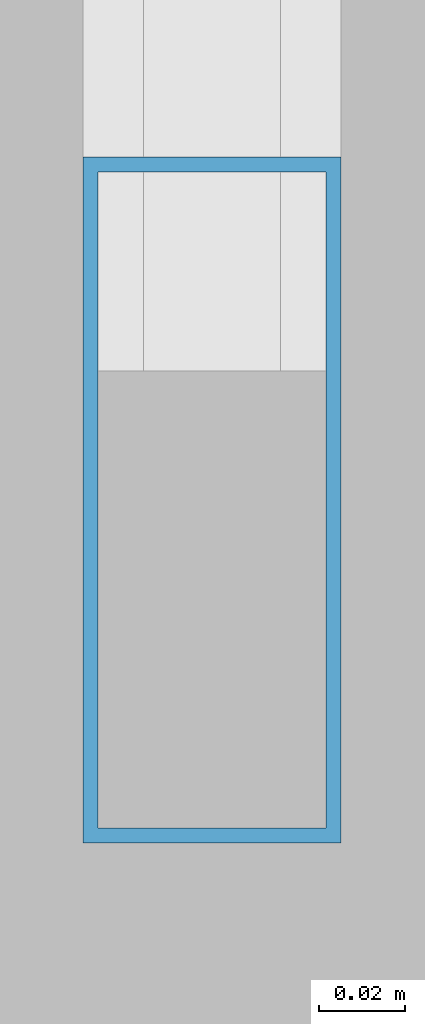
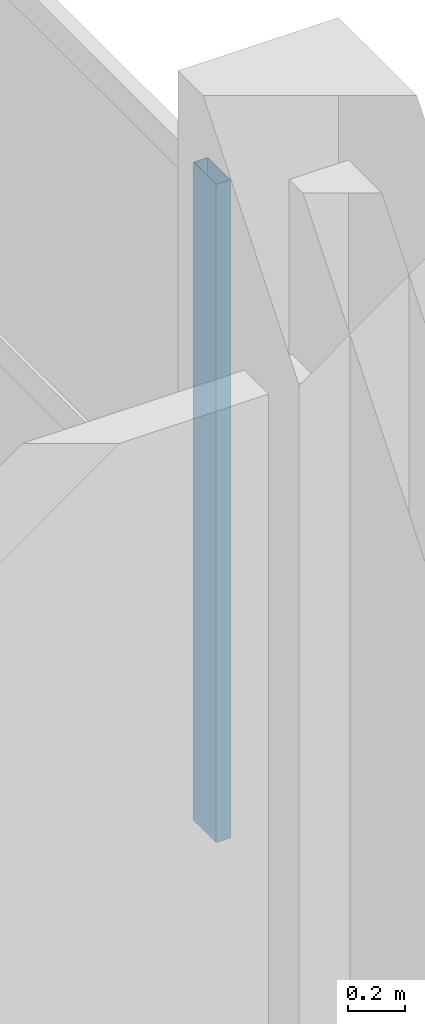
# One storey, part 133 of 181: 1 member, 1 element without a shape of its own.
"""IFC4 building model written with IfcOpenShell, lengths in metres."""

from ifc_helpers import new_model, si_unit, direction, frame, origin, origin_2d, place, context, subcontext, project, spatial, hollow_rectangle, extrude, material, layer, layer_set, material_profile, profile_set, type_object, element, aggregate, save


model = new_model("IFC4")

# Units and contexts
model_context = context("Model", 3, precision=1e-05, world=origin(), true_north=direction((0.0, 1.0)))
body_context = subcontext(model_context, "Body", "Model", "MODEL_VIEW")
ifc_project = project(units=[si_unit("LENGTHUNIT", "METRE"), si_unit("AREAUNIT", "SQUARE_METRE"), si_unit("VOLUMEUNIT", "CUBIC_METRE"), si_unit("PLANEANGLEUNIT", "RADIAN"), si_unit("MASSUNIT", "GRAM", prefix="KILO")], contexts=[model_context])

# Site, building, storey
site_placement = place(None, origin())
site = spatial("IfcSite", under=ifc_project, at=site_placement, CompositionType="ELEMENT")
building_placement = place(site_placement, origin())
building = spatial("IfcBuilding", under=site, at=building_placement, Name="Seraya Terrace Polytechnic", CompositionType="ELEMENT")
storey_placement = place(building_placement, frame((0.0, 0.0, 4.800048828125)))
storey = spatial("IfcBuildingStorey", under=building, at=storey_placement, Name="L01", CompositionType="ELEMENT", Elevation=4.800048828125)

# Curtain wall, member
ifc_material = material(Name="Anodised aluminium EN AW-6063 T6", Category="aluminium")
ifc_layer = layer(ifc_material, 0.179931640625, Name="CW-20")
ifc_layer_set = layer_set([ifc_layer], Name="Anodised aluminium EN AW-6063 T6")
curtain_wall_type = type_object("IfcCurtainWallType", Name="CW-20", PredefinedType="NOTDEFINED", material=ifc_layer_set)
curtain_wall_placement = place(storey_placement, origin())
curtain_wall = element("IfcCurtainWall", 1, at=curtain_wall_placement, inside=storey, type_object=curtain_wall_type, Name="Unitised curtain wall CW-20 (CW-L01-020)", PredefinedType="NOTDEFINED")
ifc_material_profile = material_profile(ifc_material, hollow_rectangle(XDim=0.06005859375, YDim=0.159912109375, WallThickness=0.00341796875, at=origin_2d()), Name="RHS 160x60x3.5")
ifc_profile_set = profile_set([ifc_material_profile], Name="Anodised aluminium EN AW-6063 T6")
member_type = type_object("IfcMemberType", Name="CWM-02", PredefinedType="MULLION", material=ifc_profile_set)
member_placement = place(storey_placement, frame((158.39990234375, 87.14990234375, 1.239990234375), z_axis=(0.0, 0.0, 1.0), x_axis=(1.0, 0.0, 0.0)))
member = element("IfcMember", 2, at=member_placement, type_object=member_type, Name="CW-20 mullion 3", PredefinedType="MULLION", context=body_context, shape_type="SweptSolid", body=[
    extrude(hollow_rectangle(XDim=0.06005859375, YDim=0.159912109375, WallThickness=0.00341796875, at=origin_2d()), origin(), (0.0, 0.0, 1.0), 2.820068359375),
])
aggregate(curtain_wall, [member])

save(model, "model.ifc")
